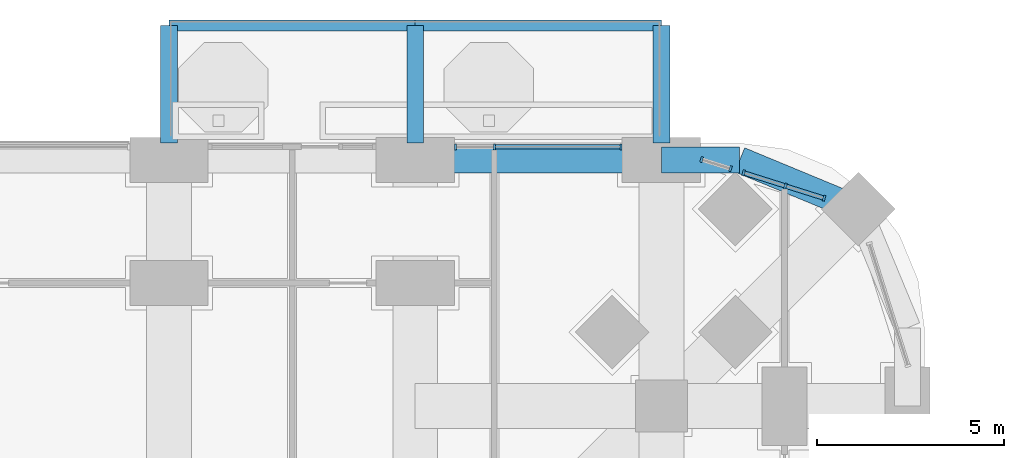
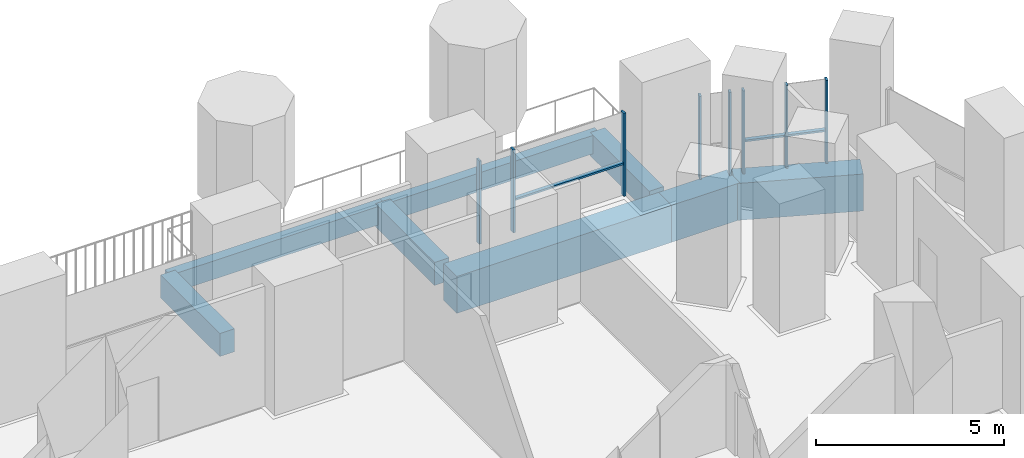
# One storey, part 10 of 27: 11 members, 8 beams, 3 elements without a shape of their own.
"""IFC4 building model written with IfcOpenShell, lengths in metres."""

from ifc_helpers import new_model, si_unit, direction, frame, origin, origin_2d, place, context, subcontext, project, spatial, rectangle, extrude, material, material_profile, profile_set, type_object, element, aggregate, save


model = new_model("IFC4")

# Units and contexts
model_context = context("Model", 3, precision=1e-05, world=origin(), true_north=direction((0.0, 1.0)))
body_context = subcontext(model_context, "Body", "Model", "MODEL_VIEW")
ifc_project = project(units=[si_unit("LENGTHUNIT", "METRE"), si_unit("AREAUNIT", "SQUARE_METRE"), si_unit("VOLUMEUNIT", "CUBIC_METRE"), si_unit("PLANEANGLEUNIT", "RADIAN"), si_unit("MASSUNIT", "GRAM", prefix="KILO")], contexts=[model_context])

# Site, building, storey
site_placement = place(None, origin())
site = spatial("IfcSite", under=ifc_project, at=site_placement, CompositionType="ELEMENT")
building_placement = place(site_placement, origin())
building = spatial("IfcBuilding", under=site, at=building_placement, Name="Cobogo Forest Laboratory Tower", CompositionType="ELEMENT")
storey_placement = place(building_placement, frame((0.0, 0.0, 46.5)))
storey = spatial("IfcBuildingStorey", under=building, at=storey_placement, Name="L10", CompositionType="ELEMENT", Elevation=46.5)

# Beams
ifc_material_1 = material(Name="Concrete HA-40 (C40/50)", Category="concrete")
ifc_material_profile_1 = material_profile(ifc_material_1, rectangle(XDim=0.449951171875, YDim=0.75, at=origin_2d()), Name="RC 450x750")
ifc_profile_set_1 = profile_set([ifc_material_profile_1], Name="Concrete HA-40 (C40/50)")
beam_type_1 = type_object("IfcBeamType", Name="Balcony cantilever beam 450x750", PredefinedType="BEAM", material=ifc_profile_set_1)
for number, where, z_axis, x_axis, name in (
    (1, (33.0, 46.64990234375, -0.625), (0.0, 1.0, 0.0), (-1.0, 0.0, 0.0), "CB1 BAL-N2-C1 L10"),
    (2, (39.60009765625, 46.64990234375, -0.625), (0.0, 1.0, 0.0), (-1.0, 0.0, 0.0), "CB1 BAL-N2-C2 L10"),
    (3, (46.199951171875, 46.64990234375, -0.625), (0.0, 1.0, 0.0), (-1.0, 0.0, 0.0), "CB1 BAL-N2-C3 L10"),
):
    element("IfcBeam", number, at=place(storey_placement, frame(where, z_axis=z_axis, x_axis=x_axis)), inside=storey, type_object=beam_type_1, Name=name, PredefinedType="BEAM", context=body_context, shape_type="SweptSolid", body=[
        extrude(rectangle(XDim=0.449951171875, YDim=0.75, at=origin_2d()), origin(), (0.0, 0.0, 1.0), 3.150146484375),
    ])
ifc_material_profile_2 = material_profile(ifc_material_1, rectangle(XDim=0.300048828125, YDim=0.60009765625, at=origin_2d()), Name="RC 300x600")
ifc_profile_set_2 = profile_set([ifc_material_profile_2], Name="Concrete HA-40 (C40/50)")
beam_type_2 = type_object("IfcBeamType", Name="Balcony edge beam 300x600", PredefinedType="BEAM", material=ifc_profile_set_2)
beam_1_placement = place(storey_placement, frame((33.0, 49.800048828125, -0.550048828125), z_axis=(1.0, 0.0, 0.0), x_axis=(0.0, 1.0, 0.0)))
element("IfcBeam", 4, at=beam_1_placement, inside=storey, type_object=beam_type_2, Name="BB1 BAL-N2-T1 L10", PredefinedType="BEAM", context=body_context, shape_type="SweptSolid", body=[
    extrude(rectangle(XDim=0.300048828125, YDim=0.60009765625, at=origin_2d()), origin(), (0.0, 0.0, 1.0), 6.60009765625),
])
beam_2_placement = place(storey_placement, frame((39.60009765625, 49.800048828125, -0.550048828125), z_axis=(1.0, 0.0, 0.0), x_axis=(0.0, 1.0, 0.0)))
element("IfcBeam", 5, at=beam_2_placement, inside=storey, type_object=beam_type_2, Name="BB1 BAL-N2-T2 L10", PredefinedType="BEAM", context=body_context, shape_type="SweptSolid", body=[
    extrude(rectangle(XDim=0.300048828125, YDim=0.60009765625, at=origin_2d()), origin(), (0.0, 0.0, 1.0), 6.599853515625),
])

# Curtain wall, members
ifc_material_2 = material(Name="Aluminium curtain wall", Category="aluminium")
curtain_wall_type = type_object("IfcCurtainWallType", Name="CW-1 unitised curtain wall, clear glazing, laboratory floors zones A and B", PredefinedType="USERDEFINED", material=ifc_material_2)
curtain_wall_1_placement = place(storey_placement, origin())
curtain_wall_1 = element("IfcCurtainWall", 6, at=curtain_wall_1_placement, inside=storey, type_object=curtain_wall_type, Name="Curtain wall 16 L10", ObjectType="UNITISED CURTAIN WALL", PredefinedType="USERDEFINED")
ifc_material_3 = material(Name="Aluminium mullion", Category="aluminium")
ifc_material_profile_3 = material_profile(ifc_material_3, rectangle(XDim=0.06005859375, YDim=0.159912109375, at=origin_2d()), Name="AL 60x160")
ifc_profile_set_3 = profile_set([ifc_material_profile_3], Name="Aluminium mullion")
member_type_1 = type_object("IfcMemberType", Name="MU-1 aluminium mullion 60x160", PredefinedType="MULLION", material=ifc_profile_set_3)
member_1_placement = place(storey_placement, frame((50.561279296875, 45.1728515625, 0.0), z_axis=(0.0, 0.0, 1.0), x_axis=(-0.953581409645, 0.301135343623, 0.0)))
member_1 = element("IfcMember", 7, at=member_1_placement, type_object=member_type_1, Name="CW-1 mullion 1", PredefinedType="MULLION", context=body_context, shape_type="SweptSolid", body=[
    extrude(rectangle(XDim=0.06005859375, YDim=0.159912109375, at=origin_2d()), origin(), (0.0, 0.0, 1.0), 2.699951171875),
])
member_2_placement = place(storey_placement, frame((49.524169921875, 45.500244140625, 0.0), z_axis=(0.0, 0.0, 1.0), x_axis=(-0.953581409645, 0.301135343623, 0.0)))
member_2 = element("IfcMember", 8, at=member_2_placement, type_object=member_type_1, Name="CW-1 mullion 2", PredefinedType="MULLION", context=body_context, shape_type="SweptSolid", body=[
    extrude(rectangle(XDim=0.06005859375, YDim=0.159912109375, at=origin_2d()), origin(), (0.0, 0.0, 1.0), 2.699951171875),
])
member_3_placement = place(storey_placement, frame((48.403076171875, 45.854248046875, 0.0), z_axis=(0.0, 0.0, 1.0), x_axis=(-0.953581409645, 0.301135343623, 0.0)))
member_3 = element("IfcMember", 9, at=member_3_placement, type_object=member_type_1, Name="CW-1 mullion 3", PredefinedType="MULLION", context=body_context, shape_type="SweptSolid", body=[
    extrude(rectangle(XDim=0.06005859375, YDim=0.159912109375, at=origin_2d()), origin(), (0.0, 0.0, 1.0), 2.699951171875),
])

curtain_wall_2_placement = place(storey_placement, origin())
curtain_wall_2 = element("IfcCurtainWall", 10, at=curtain_wall_2_placement, inside=storey, type_object=curtain_wall_type, Name="Curtain wall 17 L10", ObjectType="UNITISED CURTAIN WALL", PredefinedType="USERDEFINED")
member_4_placement = place(storey_placement, frame((48.05322265625, 45.96484375, 0.0), z_axis=(0.0, 0.0, 1.0), x_axis=(-0.953581504428, 0.301135043481, 0.0)))
member_4 = element("IfcMember", 11, at=member_4_placement, type_object=member_type_1, Name="CW-1 mullion 1", PredefinedType="MULLION", context=body_context, shape_type="SweptSolid", body=[
    extrude(rectangle(XDim=0.06005859375, YDim=0.159912109375, at=origin_2d()), origin(), (0.0, 0.0, 1.0), 2.699951171875),
])
member_5_placement = place(storey_placement, frame((47.278564453125, 46.20947265625, 0.0), z_axis=(0.0, 0.0, 1.0), x_axis=(-0.953581504428, 0.301135043481, 0.0)))
member_5 = element("IfcMember", 12, at=member_5_placement, type_object=member_type_1, Name="CW-1 mullion 2", PredefinedType="MULLION", context=body_context, shape_type="SweptSolid", body=[
    extrude(rectangle(XDim=0.06005859375, YDim=0.159912109375, at=origin_2d()), origin(), (0.0, 0.0, 1.0), 2.699951171875),
])
aggregate(curtain_wall_2, [member_4, member_5])

curtain_wall_3_placement = place(storey_placement, origin())
curtain_wall_3 = element("IfcCurtainWall", 13, at=curtain_wall_3_placement, inside=storey, type_object=curtain_wall_type, Name="Curtain wall 18 L10", ObjectType="UNITISED CURTAIN WALL", PredefinedType="USERDEFINED")
member_6_placement = place(storey_placement, frame((45.1201171875, 46.550048828125, 0.0), z_axis=(0.0, 0.0, 1.0), x_axis=(-1.0, 0.0, 0.0)))
member_6 = element("IfcMember", 14, at=member_6_placement, type_object=member_type_1, Name="CW-1 mullion 1", PredefinedType="MULLION", context=body_context, shape_type="SweptSolid", body=[
    extrude(rectangle(XDim=0.06005859375, YDim=0.159912109375, at=origin_2d()), origin(), (0.0, 0.0, 1.0), 2.699951171875),
])
member_7_placement = place(storey_placement, frame((41.72509765625, 46.550048828125, 0.0), z_axis=(0.0, 0.0, 1.0), x_axis=(-1.0, 0.0, 0.0)))
member_7 = element("IfcMember", 15, at=member_7_placement, type_object=member_type_1, Name="CW-1 mullion 2", PredefinedType="MULLION", context=body_context, shape_type="SweptSolid", body=[
    extrude(rectangle(XDim=0.06005859375, YDim=0.159912109375, at=origin_2d()), origin(), (0.0, 0.0, 1.0), 2.699951171875),
])
member_8_placement = place(storey_placement, frame((40.679931640625, 46.550048828125, 0.0), z_axis=(0.0, 0.0, 1.0), x_axis=(-1.0, 0.0, 0.0)))
member_8 = element("IfcMember", 16, at=member_8_placement, type_object=member_type_1, Name="CW-1 mullion 3", PredefinedType="MULLION", context=body_context, shape_type="SweptSolid", body=[
    extrude(rectangle(XDim=0.06005859375, YDim=0.159912109375, at=origin_2d()), origin(), (0.0, 0.0, 1.0), 2.699951171875),
])

# Beams
ifc_material_profile_4 = material_profile(ifc_material_1, rectangle(XDim=0.699951171875, YDim=1.199951171875, at=origin_2d()), Name="RC 700x1200")
ifc_profile_set_4 = profile_set([ifc_material_profile_4], Name="Concrete HA-40 (C40/50)")
beam_type_3 = type_object("IfcBeamType", Name="Perimeter edge beam 700x1200", PredefinedType="BEAM", material=ifc_profile_set_4)
beam_3_placement = place(storey_placement, frame((39.60009765625, 46.199951171875, -0.89990234375), z_axis=(1.0, 0.0, 0.0), x_axis=(0.0, 1.0, 0.0)))
element("IfcBeam", 17, at=beam_3_placement, inside=storey, type_object=beam_type_3, Name="EB1 E-N6 L10", PredefinedType="BEAM", context=body_context, shape_type="SweptSolid", body=[
    extrude(rectangle(XDim=0.699951171875, YDim=1.199951171875, at=origin_2d()), origin(), (0.0, 0.0, 1.0), 6.599853515625),
])
beam_4_placement = place(storey_placement, frame((46.199951171875, 46.199951171875, -0.89990234375), z_axis=(1.0, 0.0, 0.0), x_axis=(0.0, 1.0, 0.0)))
element("IfcBeam", 18, at=beam_4_placement, inside=storey, type_object=beam_type_3, Name="EB1 E-NEN1 L10", PredefinedType="BEAM", context=body_context, shape_type="SweptSolid", body=[
    extrude(rectangle(XDim=0.699951171875, YDim=1.199951171875, at=origin_2d()), origin(), (0.0, 0.0, 1.0), 2.10009765625),
])
beam_5_placement = place(storey_placement, frame((48.300048828125, 46.199951171875, -0.89990234375), z_axis=(0.923890694089, -0.382656484822, 0.0), x_axis=(0.382656484822, 0.923890694089, 0.0)))
element("IfcBeam", 19, at=beam_5_placement, inside=storey, type_object=beam_type_3, Name="EB1 E-NEN2 L10", PredefinedType="BEAM", context=body_context, shape_type="SweptSolid", body=[
    extrude(rectangle(XDim=0.699951171875, YDim=1.199951171875, at=origin_2d()), origin(), (0.0, 0.0, 1.0), 3.444091796875),
])

# Member
ifc_material_4 = material(Name="Aluminium transom", Category="aluminium")
ifc_material_profile_5 = material_profile(ifc_material_4, rectangle(XDim=0.1201171875, YDim=0.06005859375, at=origin_2d()), Name="AL 60x120")
ifc_profile_set_5 = profile_set([ifc_material_profile_5], Name="Aluminium transom")
member_type_2 = type_object("IfcMemberType", Name="TR-1 aluminium transom 60x120", PredefinedType="USERDEFINED", material=ifc_profile_set_5)
member_9_placement = place(storey_placement, frame((50.53271484375, 45.181884765625, 1.050048828125), z_axis=(-0.953622152866, 0.301006294888, 0.0), x_axis=(-0.301006294888, -0.953622152866, 0.0)))
member_9 = element("IfcMember", 20, at=member_9_placement, type_object=member_type_2, Name="CW-1 transom 1.1", ObjectType="TRANSOM", PredefinedType="USERDEFINED", context=body_context, shape_type="SweptSolid", body=[
    extrude(rectangle(XDim=0.1201171875, YDim=0.06005859375, at=origin_2d()), origin(), (0.0, 0.0, 1.0), 1.027587890625),
])

member_10_placement = place(storey_placement, frame((49.495361328125, 45.50927734375, 1.050048828125), z_axis=(-0.953576049467, 0.301152316747, 0.0), x_axis=(-0.301152316747, -0.953576049467, 0.0)))
member_10 = element("IfcMember", 21, at=member_10_placement, type_object=member_type_2, Name="CW-1 transom 2.1", ObjectType="TRANSOM", PredefinedType="USERDEFINED", context=body_context, shape_type="SweptSolid", body=[
    extrude(rectangle(XDim=0.1201171875, YDim=0.06005859375, at=origin_2d()), origin(), (0.0, 0.0, 1.0), 1.115478515625),
])

aggregate(curtain_wall_1, [member_1, member_2, member_3, member_9, member_10])

member_11_placement = place(storey_placement, frame((45.090087890625, 46.550048828125, 1.050048828125), z_axis=(-1.0, 0.0, 0.0), x_axis=(0.0, -1.0, 0.0)))
member_11 = element("IfcMember", 22, at=member_11_placement, type_object=member_type_2, Name="CW-1 transom 1.1", ObjectType="TRANSOM", PredefinedType="USERDEFINED", context=body_context, shape_type="SweptSolid", body=[
    extrude(rectangle(XDim=0.1201171875, YDim=0.06005859375, at=origin_2d()), origin(), (0.0, 0.0, 1.0), 3.335205078125),
])

aggregate(curtain_wall_3, [member_6, member_7, member_8, member_11])

save(model, "model.ifc")
